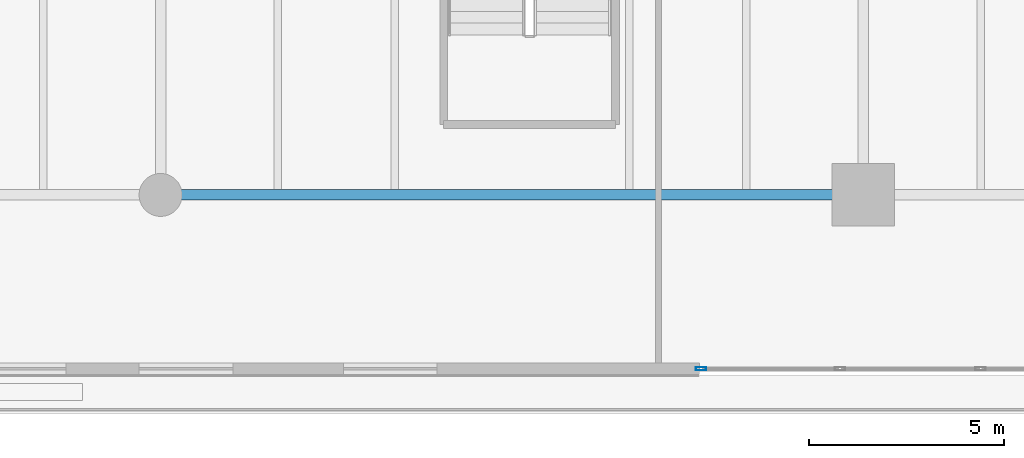
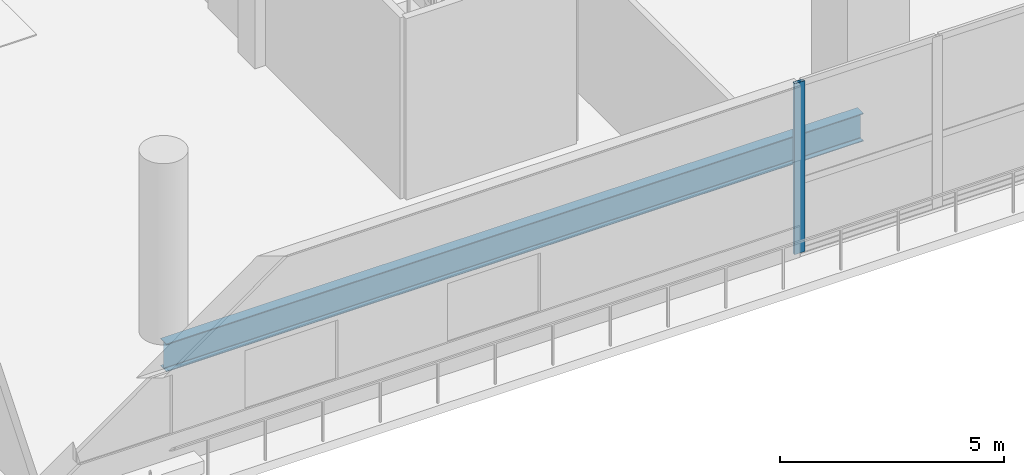
# One storey, part 2 of 27: 1 beam, 1 member, 1 element without a shape of its own.
"""IFC4 building model written with IfcOpenShell, lengths in metres."""

from ifc_helpers import new_model, si_unit, direction, frame, origin, origin_2d, place, context, subcontext, project, spatial, hollow_rectangle, i_section, extrude, material, layer, layer_set, material_profile, profile_set, type_object, element, aggregate, save


model = new_model("IFC4")

# Units and contexts
model_context = context("Model", 3, precision=1e-05, world=origin(), true_north=direction((0.0, 1.0)))
body_context = subcontext(model_context, "Body", "Model", "MODEL_VIEW")
ifc_project = project(units=[si_unit("LENGTHUNIT", "METRE"), si_unit("AREAUNIT", "SQUARE_METRE"), si_unit("VOLUMEUNIT", "CUBIC_METRE"), si_unit("PLANEANGLEUNIT", "RADIAN"), si_unit("MASSUNIT", "GRAM", prefix="KILO")], contexts=[model_context])

# Site, building, storey
site_placement = place(None, origin())
site = spatial("IfcSite", under=ifc_project, at=site_placement, CompositionType="ELEMENT")
building_placement = place(site_placement, origin())
building = spatial("IfcBuilding", under=site, at=building_placement, Name="Tanjung Sevakor Pilgrim Tower", CompositionType="ELEMENT")
storey_placement = place(building_placement, frame((0.0, 0.0, 9.89990234375)))
storey = spatial("IfcBuildingStorey", under=building, at=storey_placement, Name="L03", CompositionType="ELEMENT", Elevation=9.89990234375)

# Beam
ifc_material_1 = material(Name="Steel S355J2", Category="steel")
ifc_material_profile_1 = material_profile(ifc_material_1, i_section(OverallWidth=0.2666015625, OverallDepth=0.76220703125, WebThickness=0.014404296875, FlangeThickness=0.021484375, FilletRadius=0.0166015625, at=origin_2d()))
ifc_profile_set_1 = profile_set([ifc_material_profile_1], Name="Steel S355J2")
beam_type = type_object("IfcBeamType", Name="BM-B-POD4-UB_762x267x173", PredefinedType="BEAM", material=ifc_profile_set_1)
beam_placement = place(storey_placement, frame((36.0, 6.60009765625, -0.660888671875), z_axis=(1.0, 0.0, 0.0), x_axis=(0.0, 1.0, 0.0)))
element("IfcBeam", 1, at=beam_placement, inside=storey, type_object=beam_type, Name="L03 Podium Girder EW Y6.6-3", PredefinedType="BEAM", context=body_context, shape_type="SweptSolid", body=[
    extrude(i_section(OverallWidth=0.2666015625, OverallDepth=0.76220703125, WebThickness=0.014404296875, FlangeThickness=0.021484375, FilletRadius=0.0166015625, at=origin_2d()), origin(), (0.0, 0.0, 1.0), 18.0),
])

# Curtain wall, member
ifc_material_2 = material(Name="Aluminium 6063-T6 and Low-E Glass", Category="aluminium")
ifc_layer = layer(ifc_material_2, 0.179931640625)
ifc_layer_set = layer_set([ifc_layer], Name="CW-SYS-POD")
curtain_wall_type = type_object("IfcCurtainWallType", Name="CW-SYS-POD", PredefinedType="NOTDEFINED", material=ifc_layer_set)
curtain_wall_placement = place(storey_placement, origin())
curtain_wall = element("IfcCurtainWall", 2, at=curtain_wall_placement, inside=storey, type_object=curtain_wall_type, Name="L03 Curtain Wall CW-POD-L03-S", PredefinedType="NOTDEFINED")
ifc_material_3 = material(Name="Aluminium 6063-T6", Category="aluminium")
ifc_material_profile_2 = material_profile(ifc_material_3, hollow_rectangle(XDim=0.080078125, YDim=0.260009765625, WallThickness=0.0048828125, at=origin_2d()))
ifc_profile_set_2 = profile_set([ifc_material_profile_2], Name="Aluminium 6063-T6")
member_type = type_object("IfcMemberType", Name="TYPE-CWM-3", PredefinedType="MULLION", material=ifc_profile_set_2)
member_placement = place(storey_placement, frame((49.840087890625, 2.14990234375, 0.0), z_axis=(0.0, 0.0, 1.0), x_axis=(0.0, 1.0, 0.0)))
member = element("IfcMember", 3, at=member_placement, type_object=member_type, Name="CW-POD mullion 1", PredefinedType="MULLION", context=body_context, shape_type="SweptSolid", body=[
    extrude(hollow_rectangle(XDim=0.080078125, YDim=0.260009765625, WallThickness=0.0048828125, at=origin_2d()), origin(), (0.0, 0.0, 1.0), 4.670166015625),
])
aggregate(curtain_wall, [member])

save(model, "model.ifc")
